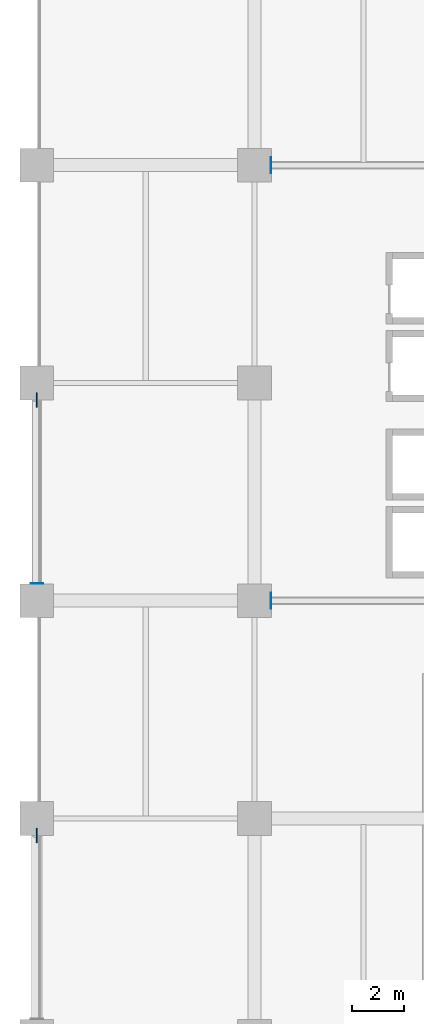
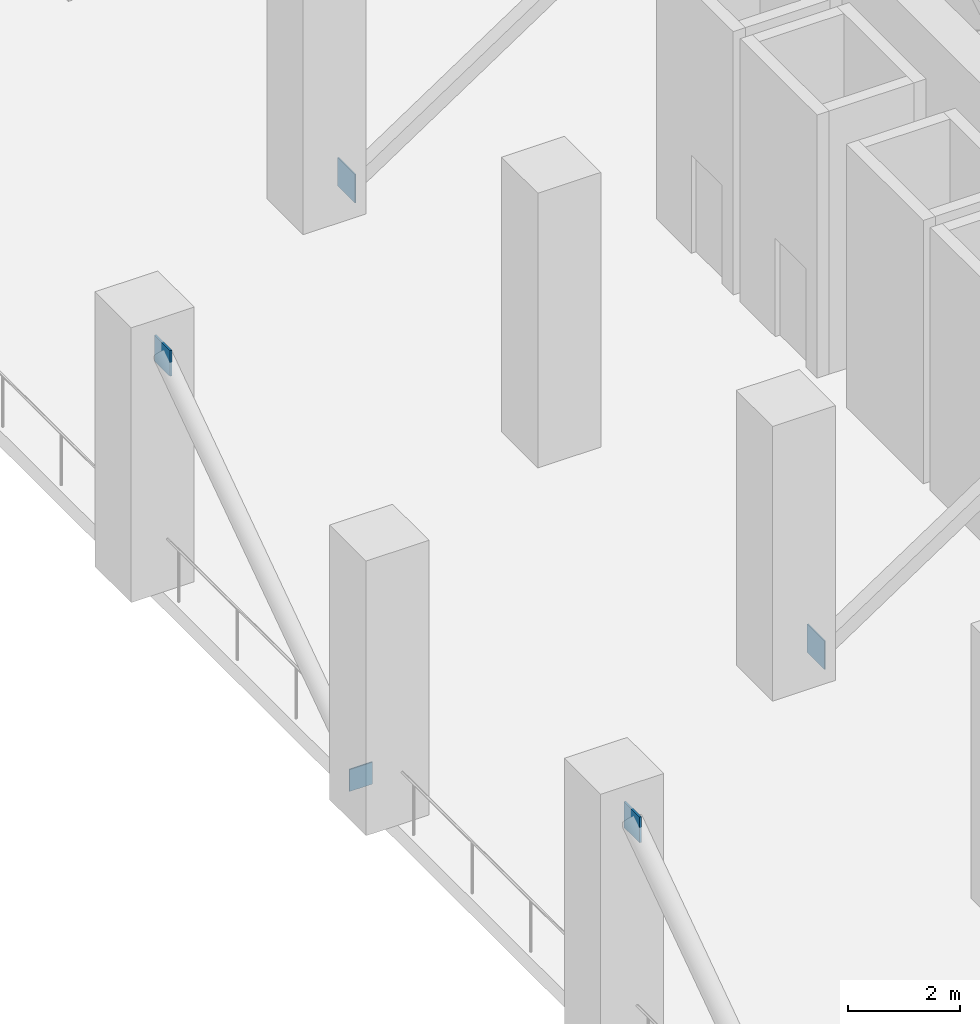
# One storey, part 8 of 19: 5 plates.
"""IFC4 building model written with IfcOpenShell, lengths in metres."""

from ifc_helpers import new_model, si_unit, direction, frame, origin, origin_2d, place, context, subcontext, project, spatial, rectangle, extrude, material, layer, layer_set, type_object, element, save


model = new_model("IFC4")

# Units and contexts
model_context = context("Model", 3, precision=1e-05, world=origin(), true_north=direction((0.0, 1.0)))
body_context = subcontext(model_context, "Body", "Model", "MODEL_VIEW")
ifc_project = project(units=[si_unit("LENGTHUNIT", "METRE"), si_unit("AREAUNIT", "SQUARE_METRE"), si_unit("VOLUMEUNIT", "CUBIC_METRE"), si_unit("PLANEANGLEUNIT", "RADIAN"), si_unit("MASSUNIT", "GRAM", prefix="KILO")], contexts=[model_context])

# Site, building, storey
site_placement = place(None, origin())
site = spatial("IfcSite", under=ifc_project, at=site_placement, CompositionType="ELEMENT")
building_placement = place(site_placement, origin())
building = spatial("IfcBuilding", under=site, at=building_placement, Name="Koriwani Terraces Tower", CompositionType="ELEMENT")
storey_placement = place(building_placement, frame((0.0, 0.0, 94.0)))
storey = spatial("IfcBuildingStorey", under=building, at=storey_placement, Name="L22", CompositionType="ELEMENT", Elevation=94.0)

# Plates
ifc_material = material(Name="Steel ASTM A572 Grade 50", Category="steel")
ifc_layer_1 = layer(ifc_material, 0.02490234375, Name="Steel ASTM A572 Grade 50")
ifc_layer_set_1 = layer_set([ifc_layer_1], Name="Steel ASTM A572 Grade 50")
plate_type_1 = type_object("IfcPlateType", Name="STEEL_CAP_PLATE_25", PredefinedType="USERDEFINED", material=ifc_layer_set_1)
for number, where, z_axis, x_axis, name in (
    (1, (9.030029296875, 42.0, 0.0400390625), (0.0, 0.0, 1.0), (1.0, 0.0, 0.0), "Outrigger truss hollow end cap plate L22-OW-W1"),
    (2, (9.030029296875, 58.800048828125, 0.0400390625), (0.0, 0.0, 1.0), (1.0, 0.0, 0.0), "Outrigger truss hollow end cap plate L22-OW-W2"),
):
    element("IfcPlate", number, at=place(storey_placement, frame(where, z_axis=z_axis, x_axis=x_axis)), inside=storey, type_object=plate_type_1, Name=name, ObjectType="FLANGE_PLATE", PredefinedType="USERDEFINED", context=body_context, shape_type="SweptSolid", body=[
        extrude(rectangle(XDim=0.02490234375, YDim=0.6201171875, at=origin_2d()), origin(), (0.0, 0.0, 1.0), 0.6201171875),
    ])
plate_placement = place(storey_placement, frame((0.0, 42.662841796875, 0.03271484375), z_axis=(0.0, 0.0, 1.0), x_axis=(0.0, 1.0, 0.0)))
element("IfcPlate", 3, at=plate_placement, inside=storey, type_object=plate_type_1, Name="Brace End Cap Plate BT-L22-BW3", ObjectType="FLANGE_PLATE", PredefinedType="USERDEFINED", context=body_context, shape_type="SweptSolid", body=[
    extrude(rectangle(XDim=0.02490234375, YDim=0.47998046875, at=origin_2d()), origin(), (0.0, 0.0, 1.0), 0.47998046875),
])
ifc_layer_2 = layer(ifc_material, 0.0400390625, Name="Steel ASTM A572 Grade 50")
ifc_layer_set_2 = layer_set([ifc_layer_2], Name="Steel ASTM A572 Grade 50")
plate_type_2 = type_object("IfcPlateType", Name="STEEL_GUSSET_PLATE_40", PredefinedType="USERDEFINED", material=ifc_layer_set_2)
for number, where, z_axis, x_axis, name in (
    (4, (0.0, 32.93701171875, 4.897216796875), (0.0, 0.0, 1.0), (0.0, 1.0, 0.0), "Brace Node Gusset Plate BT-L22-BW2"),
    (5, (0.0, 49.737060546875, 4.897216796875), (0.0, 0.0, 1.0), (0.0, 1.0, 0.0), "Brace Node Gusset Plate BT-L22-BW3"),
):
    element("IfcPlate", number, at=place(storey_placement, frame(where, z_axis=z_axis, x_axis=x_axis)), inside=storey, type_object=plate_type_2, Name=name, ObjectType="GUSSET_PLATE", PredefinedType="USERDEFINED", context=body_context, shape_type="SweptSolid", body=[
        extrude(rectangle(XDim=0.56005859375, YDim=0.0400390625, at=origin_2d()), origin(), (0.0, 0.0, 1.0), 0.56005859375),
    ])

save(model, "model.ifc")
